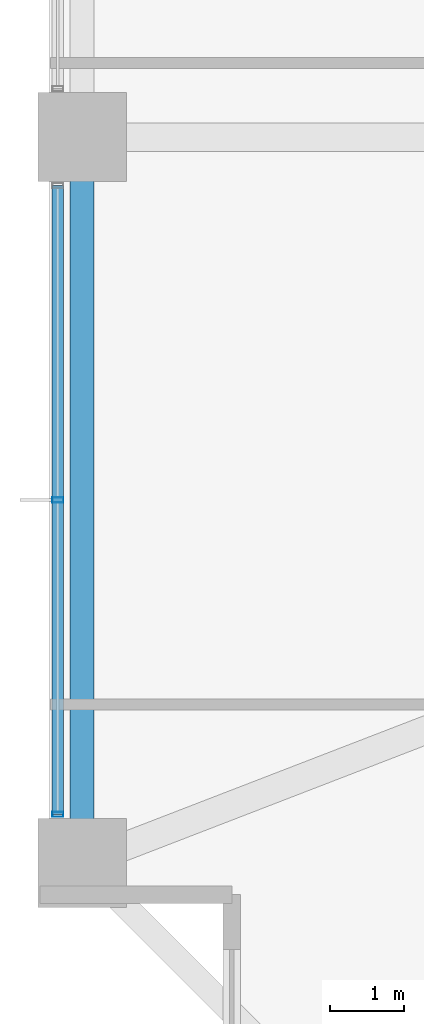
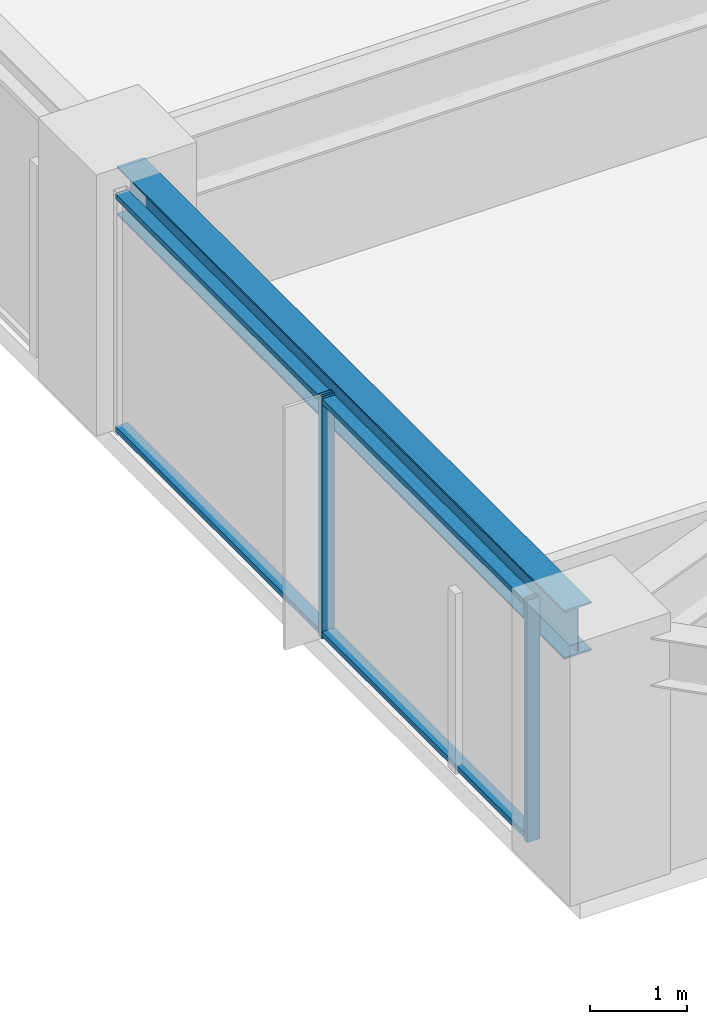
# One storey, part 3 of 38: 4 members, 1 beam, 1 element without a shape of its own.
"""IFC4 building model written with IfcOpenShell, lengths in metres."""

import ifcopenshell
import ifcopenshell.guid

model = None  # the IFC model being written
_history = None  # IfcOwnerHistory: only IFC2X3 demands one
_inside = {}  # id of a spatial element -> (the spatial element, [elements in it])
_under = {}  # id of a project, library or spatial element -> (it, [spatial elements below it])
_declared = {}  # id of a project -> (the project, [libraries it declares])
_typed = {}  # id of a type object -> (the type object, [elements of that type])
_made_of = {}  # id of a material, layer set ... -> (it, [elements and type objects made of it])


def new_model(schema):
    """Start an empty IFC model of exactly this schema.

    Asked for "IFC4X3", IfcOpenShell would pick the latest addendum, in which some entities
    have other attributes; the version numbers below select the first issue.
    IFC2X3 requires an IfcOwnerHistory on every rooted entity: one is made here for all.
    """
    global model, _history
    if schema == "IFC4X3":
        model = ifcopenshell.file(schema_version=(4, 3, 0, 0))
    else:
        model = ifcopenshell.file(schema=schema)
    _inside.clear()
    _under.clear()
    _declared.clear()
    _typed.clear()
    _made_of.clear()
    _history = None
    if model.schema == "IFC2X3":
        org = make("IfcOrganization", Name="unknown")
        user = make(
            "IfcPersonAndOrganization",
            ThePerson=make("IfcPerson", FamilyName="unknown"),
            TheOrganization=org,
        )
        app = make(
            "IfcApplication",
            ApplicationDeveloper=org,
            Version="unknown",
            ApplicationFullName="unknown",
            ApplicationIdentifier="unknown",
        )
        _history = make(
            "IfcOwnerHistory",
            OwningUser=user,
            OwningApplication=app,
            ChangeAction="ADDED",
            CreationDate=0,
        )
    return model


def make(cls, **values):
    """One entity of the class cls with the attributes given. An attribute that is None is left unset."""
    return model.create_entity(
        cls, **{name: value for name, value in values.items() if value is not None}
    )


def rooted(cls, **values):
    """An entity with a GlobalId (a new one), such as an element, a storey or a relation."""
    return make(cls, GlobalId=ifcopenshell.guid.new(), OwnerHistory=_history, **values)


def si_unit(unit_type, name, prefix=None):
    """IfcSIUnit, for example si_unit("LENGTHUNIT", "METRE", prefix="MILLI")."""
    return make("IfcSIUnit", UnitType=unit_type, Prefix=prefix, Name=name)


def assignment(units):
    """IfcUnitAssignment: the units of a project."""
    return None if units is None else make("IfcUnitAssignment", Units=units)


def point(xyz):
    """IfcCartesianPoint."""
    return None if xyz is None else make("IfcCartesianPoint", Coordinates=xyz)


def direction(xyz):
    """IfcDirection."""
    return None if xyz is None else make("IfcDirection", DirectionRatios=xyz)


def frame(location, z_axis=None, x_axis=None):
    """IfcAxis2Placement3D, a coordinate frame: its origin and axes. An axis left out is left unset."""
    return make(
        "IfcAxis2Placement3D",
        Location=point(location),
        Axis=direction(z_axis),
        RefDirection=direction(x_axis),
    )


def frame_2d(location, x_axis=None):
    """IfcAxis2Placement2D, a coordinate frame in the plane: its origin and x axis."""
    return make(
        "IfcAxis2Placement2D", Location=point(location), RefDirection=direction(x_axis)
    )


def origin():
    """The frame at (0, 0, 0) with its axes left unset."""
    return frame((0.0, 0.0, 0.0))


def origin_2d():
    """The frame at (0, 0) in the plane with its x axis left unset."""
    return frame_2d((0.0, 0.0))


def place(relative_to, where):
    """IfcLocalPlacement: puts the frame where relative to a parent placement (None: the world)."""
    return make(
        "IfcLocalPlacement", PlacementRelTo=relative_to, RelativePlacement=where
    )


def context(
    kind, dimensions, precision=None, world=None, true_north=None, identifier=None
):
    """IfcGeometricRepresentationContext, for example the 3D "Model" context."""
    return make(
        "IfcGeometricRepresentationContext",
        ContextIdentifier=identifier,
        ContextType=kind,
        CoordinateSpaceDimension=dimensions,
        Precision=precision,
        WorldCoordinateSystem=world,
        TrueNorth=true_north,
    )


def subcontext(parent, identifier, kind, view, scale=None):
    """IfcGeometricRepresentationSubContext, for example "Body" below "Model"."""
    return make(
        "IfcGeometricRepresentationSubContext",
        ContextIdentifier=identifier,
        ContextType=kind,
        ParentContext=parent,
        TargetScale=scale,
        TargetView=view,
    )


def project(units=None, contexts=None):
    """IfcProject with its units and contexts."""
    return rooted(
        "IfcProject",
        Name="project",
        RepresentationContexts=contexts,
        UnitsInContext=assignment(units),
    )


def spatial(cls, under=None, at=None, **own):
    """A site, building, storey or space (cls), placed at a placement, below another one or the project."""
    s = rooted(cls, ObjectPlacement=at, **own)
    if under is not None:
        _under.setdefault(under.id(), (under, []))[1].append(s)
    return s


def profile(cls, at=None, kind="AREA", **sizes):
    """A parametric profile (cls). Its sizes go by their IFC names, for example OverallWidth=200.0."""
    return make(cls, ProfileType=kind, Position=at, **sizes)


def hollow_rectangle(**sizes):
    """IfcRectangleHollowProfileDef."""
    return profile("IfcRectangleHollowProfileDef", **sizes)


def i_section(**sizes):
    """IfcIShapeProfileDef."""
    return profile("IfcIShapeProfileDef", **sizes)


def extrude(swept, where, along, depth):
    """IfcExtrudedAreaSolid: the profile swept, set in the frame where, extruded along a direction by depth."""
    return make(
        "IfcExtrudedAreaSolid",
        SweptArea=swept,
        Position=where,
        ExtrudedDirection=direction(along),
        Depth=depth,
    )


def shape(context_of_items, identifier, shape_type, items):
    """IfcShapeRepresentation: the items that make up one representation, for example the "Body"."""
    return make(
        "IfcShapeRepresentation",
        ContextOfItems=context_of_items,
        RepresentationIdentifier=identifier,
        RepresentationType=shape_type,
        Items=items,
    )


def material(Name=None, Category=None):
    """IfcMaterial."""
    return make("IfcMaterial", Name=Name, Category=Category)


def material_profile(
    of_material, cross_section, Name=None, Category=None, Priority=None
):
    """IfcMaterialProfile: a cross section and its material."""
    return make(
        "IfcMaterialProfile",
        Name=Name,
        Material=of_material,
        Profile=cross_section,
        Priority=Priority,
        Category=Category,
    )


def profile_set(profiles, Name=None, composite=None):
    """IfcMaterialProfileSet."""
    return make(
        "IfcMaterialProfileSet",
        Name=Name,
        MaterialProfiles=profiles,
        CompositeProfile=composite,
    )


def made_of(thing, what):
    """Note that an element or type object is made of a material, layer set ...; save() writes the relation."""
    if what is not None:
        _made_of.setdefault(what.id(), (what, []))[1].append(thing)
    return thing


def type_object(cls, material=None, **own):
    """A type object (cls), such as IfcWallType, which elements share."""
    return made_of(rooted(cls, **own), material)


def element(
    cls,
    number,
    at=None,
    inside=None,
    cuts=None,
    type_object=None,
    material=None,
    context=None,
    identifier="Body",
    shape_type=None,
    held_by="IfcProductDefinitionShape",
    body=None,
    shapes=None,
    **own,
):
    """One element of the class cls, such as IfcWall. Its Tag is "e" and its number.

    at: its placement. inside: the storey or other place that contains it. cuts: it is an
    opening in that element (IfcRelVoidsElement). A single representation is given by context,
    identifier, shape_type and body (its items); several are given by shapes. held_by: the class
    of the entity that holds the representations. save() writes the other relations.
    """
    e = rooted(cls, Tag="e%d" % number, ObjectPlacement=at, **own)
    if body is not None:
        shapes = [shape(context, identifier, shape_type, body)]
    if shapes is not None:
        e.Representation = make(held_by, Representations=shapes)
    if inside is not None:
        _inside.setdefault(inside.id(), (inside, []))[1].append(e)
    if cuts is not None:
        rooted(
            "IfcRelVoidsElement", RelatingBuildingElement=cuts, RelatedOpeningElement=e
        )
    if type_object is not None:
        _typed.setdefault(type_object.id(), (type_object, []))[1].append(e)
    return made_of(e, material)


def aggregate(whole, parts):
    """IfcRelAggregates: a whole, such as a stair, and the parts it consists of."""
    return rooted("IfcRelAggregates", RelatingObject=whole, RelatedObjects=parts)


def save(model, path):
    """Write the relations noted so far, then the file.

    IfcRelAggregates (storeys below a building ...), IfcRelContainedInSpatialStructure (elements
    in a storey), IfcRelDefinesByType, IfcRelAssociatesMaterial and IfcRelDeclares: one each for
    every whole, place, type object, material and project.
    """
    for whole, parts in _under.values():
        aggregate(whole, parts)
    for where, things in _inside.values():
        rooted(
            "IfcRelContainedInSpatialStructure",
            RelatedElements=things,
            RelatingStructure=where,
        )
    for kind, things in _typed.values():
        rooted("IfcRelDefinesByType", RelatedObjects=things, RelatingType=kind)
    for what, things in _made_of.values():
        rooted("IfcRelAssociatesMaterial", RelatedObjects=things, RelatingMaterial=what)
    for by, libraries in _declared.values():
        rooted("IfcRelDeclares", RelatingContext=by, RelatedDefinitions=libraries)
    model.write(path)


model = new_model("IFC4")

# Units and contexts
model_context = context("Model", 3, precision=1e-05, world=origin(), true_north=direction((0.0, 1.0)))
body_context = subcontext(model_context, "Body", "Model", "MODEL_VIEW")
ifc_project = project(units=[si_unit("LENGTHUNIT", "METRE"), si_unit("AREAUNIT", "SQUARE_METRE"), si_unit("VOLUMEUNIT", "CUBIC_METRE"), si_unit("PLANEANGLEUNIT", "RADIAN"), si_unit("MASSUNIT", "GRAM", prefix="KILO")], contexts=[model_context])

# Site, building, storey
site_placement = place(None, origin())
site = spatial("IfcSite", under=ifc_project, at=site_placement, CompositionType="ELEMENT")
building_placement = place(site_placement, origin())
building = spatial("IfcBuilding", under=site, at=building_placement, Name="Kolvaren Belvedere", CompositionType="ELEMENT")
storey_placement = place(building_placement, frame((0.0, 0.0, 30.39990234375)))
storey = spatial("IfcBuildingStorey", under=building, at=storey_placement, Name="L08", CompositionType="ELEMENT", Elevation=30.39990234375)

# Beam
ifc_material_1 = material(Name="Structural steel ASTM A992 Grade 50", Category="steel")
ifc_material_profile_1 = material_profile(ifc_material_1, i_section(OverallWidth=0.324951171875, OverallDepth=0.615966796875, WebThickness=0.013916015625, FlangeThickness=0.021484375, FilletRadius=0.02001953125, at=origin_2d()), Name="W24X117")
ifc_profile_set_1 = profile_set([ifc_material_profile_1], Name="Structural steel ASTM A992 Grade 50")
beam_type = type_object("IfcBeamType", Name="BM-SPAN-W24X117", PredefinedType="SPANDREL", material=ifc_profile_set_1)
beam_placement = place(storey_placement, frame((-21.550048828125, -4.8701171875, 2.752197265625), z_axis=(0.0, -1.0, 0.0), x_axis=(1.0, 0.0, 0.0)))
element("IfcBeam", 1, at=beam_placement, inside=storey, type_object=beam_type, Name="L08 Perimeter Spandrel W2-W1", PredefinedType="SPANDREL", context=body_context, shape_type="SweptSolid", body=[
    extrude(i_section(OverallWidth=0.324951171875, OverallDepth=0.615966796875, WebThickness=0.013916015625, FlangeThickness=0.021484375, FilletRadius=0.02001953125, at=origin_2d()), origin(), (0.0, 0.0, 1.0), 9.259765625),
])

# Curtain wall, members
ifc_material_2 = material(Name="Anodised pale-metal aluminium AA 6063-T6", Category="aluminium")
curtain_wall_type = type_object("IfcCurtainWallType", Name="CW-Z1-LOW", PredefinedType="NOTDEFINED", material=ifc_material_2)
curtain_wall_placement = place(storey_placement, origin())
curtain_wall = element("IfcCurtainWall", 2, at=curtain_wall_placement, inside=storey, type_object=curtain_wall_type, Name="L08 Unitised Curtain Wall FCW-L08-W-B1", PredefinedType="NOTDEFINED")
ifc_material_3 = material(Name="Anodised pale-metal aluminium AA 6063-T6", Category="aluminium")
ifc_material_profile_2 = material_profile(ifc_material_3, hollow_rectangle(XDim=0.070068359375, YDim=0.14990234375, WallThickness=0.004150390625, at=origin_2d()), Name="ALU-MUL-150X70")
ifc_profile_set_2 = profile_set([ifc_material_profile_2], Name="Anodised pale-metal aluminium AA 6063-T6")
member_type_1 = type_object("IfcMemberType", Name="CW-MUL-150", PredefinedType="MULLION", material=ifc_profile_set_2)
member_1_placement = place(storey_placement, frame((-21.8798828125, -13.7451171875, 0.0), z_axis=(0.0, 0.0, 1.0), x_axis=(0.0, 1.0, 0.0)))
member_1 = element("IfcMember", 3, at=member_1_placement, type_object=member_type_1, Name="FCW-L08-W-B1 Unitised Mullion 1", PredefinedType="MULLION", context=body_context, shape_type="SweptSolid", body=[
    extrude(hollow_rectangle(XDim=0.070068359375, YDim=0.14990234375, WallThickness=0.004150390625, at=origin_2d()), origin(), (0.0, 0.0, 1.0), 3.06005859375),
])
member_2_placement = place(storey_placement, frame((-21.8798828125, -9.5, 0.0), z_axis=(0.0, 0.0, 1.0), x_axis=(0.0, 1.0, 0.0)))
member_2 = element("IfcMember", 4, at=member_2_placement, type_object=member_type_1, Name="FCW-L08-W-B1 Unitised Mullion 2", PredefinedType="MULLION", context=body_context, shape_type="SweptSolid", body=[
    extrude(hollow_rectangle(XDim=0.070068359375, YDim=0.14990234375, WallThickness=0.004150390625, at=origin_2d()), origin(), (0.0, 0.0, 1.0), 3.06005859375),
])
ifc_material_4 = material(Name="Anodised pale-metal aluminium AA 6063-T6", Category="aluminium")
ifc_material_profile_3 = material_profile(ifc_material_4, hollow_rectangle(XDim=0.06494140625, YDim=0.14990234375, WallThickness=0.00390625, at=origin_2d()), Name="ALU-TRN-150X65")
ifc_profile_set_3 = profile_set([ifc_material_profile_3], Name="Anodised pale-metal aluminium AA 6063-T6")
member_type_2 = type_object("IfcMemberType", Name="CW-TRN-150", PredefinedType="USERDEFINED", material=ifc_profile_set_3)
member_3_placement = place(storey_placement, frame((-21.8798828125, -13.7451171875, 0.06005859375), z_axis=(0.0, 1.0, 0.0), x_axis=(0.0, 0.0, 1.0)))
member_3 = element("IfcMember", 5, at=member_3_placement, type_object=member_type_2, Name="FCW-L08-W-B1 Sill Transom", ObjectType="TRANSOM", PredefinedType="USERDEFINED", context=body_context, shape_type="SweptSolid", body=[
    extrude(hollow_rectangle(XDim=0.06494140625, YDim=0.14990234375, WallThickness=0.00390625, at=origin_2d()), origin(), (0.0, 0.0, 1.0), 8.490234375),
])
member_4_placement = place(storey_placement, frame((-21.8798828125, -13.7451171875, 3.0), z_axis=(0.0, 1.0, 0.0), x_axis=(0.0, 0.0, 1.0)))
member_4 = element("IfcMember", 6, at=member_4_placement, type_object=member_type_2, Name="FCW-L08-W-B1 Head Transom", ObjectType="TRANSOM", PredefinedType="USERDEFINED", context=body_context, shape_type="SweptSolid", body=[
    extrude(hollow_rectangle(XDim=0.06494140625, YDim=0.14990234375, WallThickness=0.00390625, at=origin_2d()), origin(), (0.0, 0.0, 1.0), 8.490234375),
])
aggregate(curtain_wall, [member_1, member_2, member_3, member_4])

save(model, "model.ifc")
